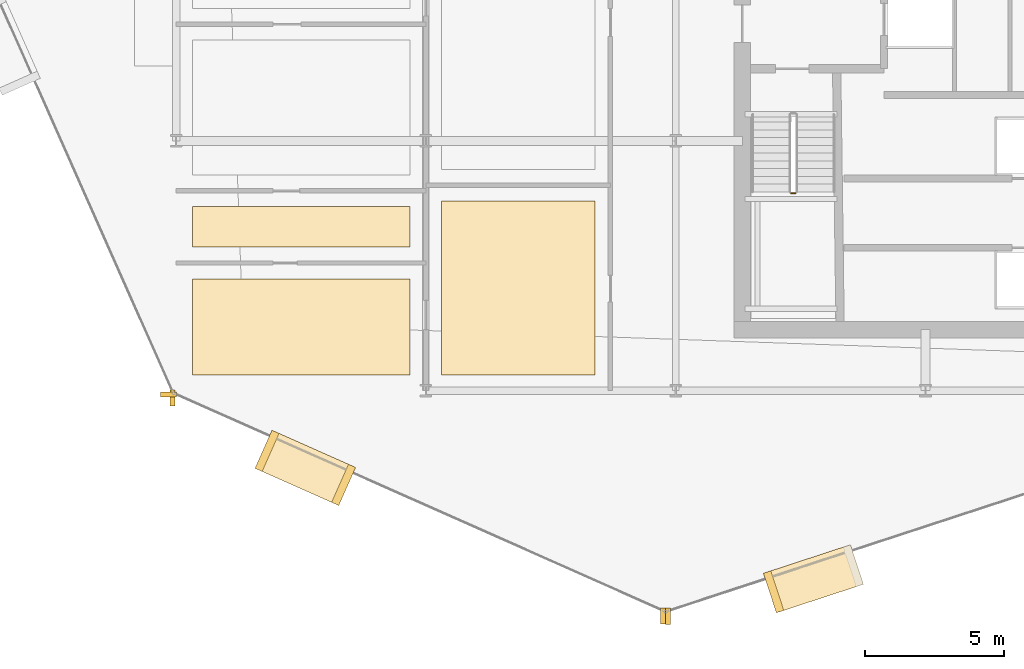
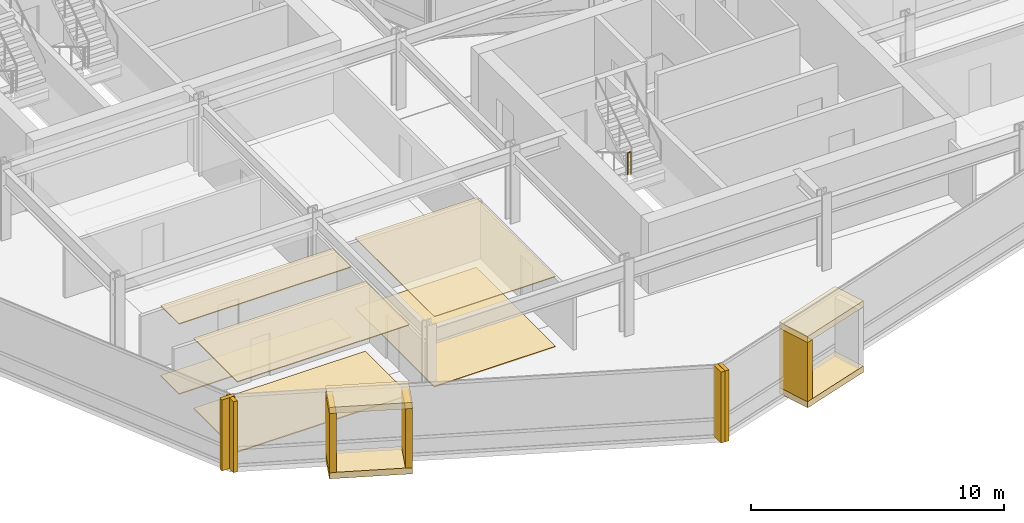
# One storey, part 24 of 28: 17 coverings, 1 railing.
"""IFC4 building model written with IfcOpenShell, lengths in metres."""

from ifc_helpers import new_model, si_unit, direction, frame, origin, origin_2d, place, context, subcontext, project, spatial, polyline, rectangle, circle, outline, extrude, material, layer, layer_set, type_object, element, save


model = new_model("IFC4")

# Units and contexts
model_context = context("Model", 3, precision=1e-05, world=origin(), true_north=direction((0.0, 1.0)))
body_context = subcontext(model_context, "Body", "Model", "MODEL_VIEW")
ifc_project = project(units=[si_unit("LENGTHUNIT", "METRE"), si_unit("AREAUNIT", "SQUARE_METRE"), si_unit("VOLUMEUNIT", "CUBIC_METRE"), si_unit("PLANEANGLEUNIT", "RADIAN"), si_unit("MASSUNIT", "GRAM", prefix="KILO")], contexts=[model_context])

# Site, building, storey
site_placement = place(None, origin())
site = spatial("IfcSite", under=ifc_project, at=site_placement, CompositionType="ELEMENT")
building_placement = place(site_placement, origin())
building = spatial("IfcBuilding", under=site, at=building_placement, Name="Solvaryn Broadcast Tower", CompositionType="ELEMENT")
storey_placement = place(building_placement, frame((0.0, 0.0, 110.0)))
storey = spatial("IfcBuildingStorey", under=building, at=storey_placement, Name="L26", CompositionType="ELEMENT", Elevation=110.0)

# Coverings
ifc_material_1 = material(Name="Micro-Perforated Acoustic Gypsum Ceiling", Category="concrete")
ifc_layer_1 = layer(ifc_material_1, 0.0400390625)
ifc_layer_set_1 = layer_set([ifc_layer_1], Name="CV-CEIL-ACOUSTIC")
covering_type_1 = type_object("IfcCoveringType", Name="CV-CEIL-ACOUSTIC", PredefinedType="CEILING", material=ifc_layer_set_1)
covering_1_placement = place(storey_placement, frame((0.0, 0.0, 3.3798828125)))
element("IfcCovering", 1, at=covering_1_placement, inside=storey, type_object=covering_type_1, Name="L26 Room Acoustic Ceiling 1", PredefinedType="CEILING", context=body_context, shape_type="SweptSolid", body=[
    extrude(outline(polyline([(18.570068359375, 9.570068359375), (24.10009765625, 9.570068359375), (24.10009765625, 15.830078125), (18.570068359375, 15.830078125), (18.570068359375, 9.570068359375)])), origin(), (0.0, 0.0, 1.0), 0.0400390625),
])
covering_2_placement = place(storey_placement, frame((0.0, 0.0, 3.3798828125)))
element("IfcCovering", 2, at=covering_2_placement, inside=storey, type_object=covering_type_1, Name="L26 Room Acoustic Ceiling 3", PredefinedType="CEILING", context=body_context, shape_type="SweptSolid", body=[
    extrude(outline(polyline([(9.60009765625, 9.570068359375), (17.429931640625, 9.570068359375), (17.429931640625, 13.030029296875), (9.60009765625, 13.030029296875), (9.60009765625, 9.570068359375)])), origin(), (0.0, 0.0, 1.0), 0.0400390625),
])
covering_3_placement = place(storey_placement, frame((0.0, 0.0, 3.3798828125)))
element("IfcCovering", 3, at=covering_3_placement, inside=storey, type_object=covering_type_1, Name="L26 Room Acoustic Ceiling 4", PredefinedType="CEILING", context=body_context, shape_type="SweptSolid", body=[
    extrude(outline(polyline([(9.60009765625, 14.169921875), (17.429931640625, 14.169921875), (17.429931640625, 15.6298828125), (9.60009765625, 15.6298828125), (9.60009765625, 14.169921875)])), origin(), (0.0, 0.0, 1.0), 0.0400390625),
])
ifc_material_2 = material(Name="Newsroom Raised Data Access Flooring", Category="steel")
ifc_layer_2 = layer(ifc_material_2, 0.050048828125)
ifc_layer_set_2 = layer_set([ifc_layer_2], Name="CV-FLOOR-RAISED")
covering_type_2 = type_object("IfcCoveringType", Name="CV-FLOOR-RAISED", PredefinedType="FLOORING", material=ifc_layer_set_2)
covering_4_placement = place(storey_placement, origin())
element("IfcCovering", 4, at=covering_4_placement, inside=storey, type_object=covering_type_2, Name="L26 Room Acoustic Floor Finish 1", PredefinedType="FLOORING", context=body_context, shape_type="SweptSolid", body=[
    extrude(outline(polyline([(18.570068359375, 9.570068359375), (24.10009765625, 9.570068359375), (24.10009765625, 15.830078125), (18.570068359375, 15.830078125), (18.570068359375, 9.570068359375)])), origin(), (0.0, 0.0, 1.0), 0.050048828125),
])
covering_5_placement = place(storey_placement, origin())
element("IfcCovering", 5, at=covering_5_placement, inside=storey, type_object=covering_type_2, Name="L26 Room Acoustic Floor Finish 3", PredefinedType="FLOORING", context=body_context, shape_type="SweptSolid", body=[
    extrude(outline(polyline([(9.60009765625, 9.570068359375), (17.429931640625, 9.570068359375), (17.429931640625, 13.030029296875), (9.60009765625, 13.030029296875), (9.60009765625, 9.570068359375)])), origin(), (0.0, 0.0, 1.0), 0.050048828125),
])
covering_6_placement = place(storey_placement, origin())
element("IfcCovering", 6, at=covering_6_placement, inside=storey, type_object=covering_type_2, Name="L26 Room Acoustic Floor Finish 4", PredefinedType="FLOORING", context=body_context, shape_type="SweptSolid", body=[
    extrude(outline(polyline([(9.60009765625, 14.169921875), (17.429931640625, 14.169921875), (17.429931640625, 15.6298828125), (9.60009765625, 15.6298828125), (9.60009765625, 14.169921875)])), origin(), (0.0, 0.0, 1.0), 0.050048828125),
])
ifc_material_3 = material(Name="Glazed Architectural Terracotta Rainscreen Cladding", Category="masonry")
ifc_layer_3 = layer(ifc_material_3, 0.280029296875)
ifc_layer_set_3 = layer_set([ifc_layer_3], Name="CV-TC-CLAD")
covering_type_3 = type_object("IfcCoveringType", Name="CV-TC-CLAD", PredefinedType="CLADDING", material=ifc_layer_set_3)
for number, where, z_axis, x_axis, name in (
    (7, (13.656982421875, 6.218994140625, 3.1298828125), (0.0, 0.0, 1.0), (0.913900054426, -0.405939269498, 0.0), "L26 Projecting Stone Window Box Hood 3"),
    (8, (13.656982421875, 6.218994140625, -0.01025390625), (0.0, 0.0, 1.0), (0.913900054426, -0.405939269498, 0.0), "L26 Projecting Stone Window Box Sill 3"),
):
    element("IfcCovering", number, at=place(storey_placement, frame(where, z_axis=z_axis, x_axis=x_axis)), inside=storey, type_object=covering_type_3, Name=name, PredefinedType="CLADDING", context=body_context, shape_type="SweptSolid", body=[
        extrude(rectangle(XDim=3.300048828125, YDim=1.5, at=origin_2d()), origin(), (0.0, 0.0, 1.0), 0.300048828125),
    ])
for number, where, z_axis, x_axis, name in (
    (9, (12.277099609375, 6.83203125, 0.27978515625), (0.0, 0.0, 1.0), (0.913900054426, -0.405939269498, 0.0), "L26 Projecting Stone Window Box Cheek 3-1"),
    (10, (15.037109375, 5.60595703125, 0.27978515625), (0.0, 0.0, 1.0), (0.913900054426, -0.405939269498, 0.0), "L26 Projecting Stone Window Box Cheek 3-2"),
):
    element("IfcCovering", number, at=place(storey_placement, frame(where, z_axis=z_axis, x_axis=x_axis)), inside=storey, type_object=covering_type_3, Name=name, PredefinedType="CLADDING", context=body_context, shape_type="SweptSolid", body=[
        extrude(rectangle(XDim=0.280029296875, YDim=1.5, at=origin_2d()), origin(), (0.0, 0.0, 1.0), 2.860107421875),
    ])
for number, where, z_axis, x_axis, name in (
    (11, (31.9619140625, 2.222900390625, 3.1298828125), (0.0, 0.0, 1.0), (0.950189870912, 0.311671636848, 0.0), "L26 Projecting Stone Window Box Hood 4"),
    (12, (31.9619140625, 2.222900390625, -0.01025390625), (0.0, 0.0, 1.0), (0.950189870912, 0.311671636848, 0.0), "L26 Projecting Stone Window Box Sill 4"),
):
    element("IfcCovering", number, at=place(storey_placement, frame(where, z_axis=z_axis, x_axis=x_axis)), inside=storey, type_object=covering_type_3, Name=name, PredefinedType="CLADDING", context=body_context, shape_type="SweptSolid", body=[
        extrude(rectangle(XDim=3.300048828125, YDim=1.5, at=origin_2d()), origin(), (0.0, 0.0, 1.0), 0.300048828125),
    ])
covering_7_placement = place(storey_placement, frame((30.527099609375, 1.75244140625, 0.27978515625), z_axis=(0.0, 0.0, 1.0), x_axis=(0.950189870912, 0.311671636848, 0.0)))
element("IfcCovering", 13, at=covering_7_placement, inside=storey, type_object=covering_type_3, Name="L26 Projecting Stone Window Box Cheek 4-1", PredefinedType="CLADDING", context=body_context, shape_type="SweptSolid", body=[
    extrude(rectangle(XDim=0.280029296875, YDim=1.5, at=origin_2d()), origin(), (0.0, 0.0, 1.0), 2.860107421875),
])
ifc_material_4 = material(Name="Extruded Architectural Terracotta Fin", Category="masonry")
ifc_layer_4 = layer(ifc_material_4, 0.179931640625)
ifc_layer_set_4 = layer_set([ifc_layer_4], Name="CV-TC-FIN")
covering_type_4 = type_object("IfcCoveringType", Name="CV-TC-FIN", PredefinedType="USERDEFINED", material=ifc_layer_set_4)
covering_8_placement = place(storey_placement, frame((8.731689453125, 8.86279296875, 0.0), z_axis=(0.0, 0.0, 1.0), x_axis=(1.0, 0.0, 0.0)))
element("IfcCovering", 14, at=covering_8_placement, inside=storey, type_object=covering_type_4, Name="L26 Terracotta Vertical Fin FIN-L26-DR2-M01", ObjectType="FIN", PredefinedType="USERDEFINED", context=body_context, shape_type="SweptSolid", body=[
    extrude(rectangle(XDim=0.580078125, YDim=0.179931640625, at=origin_2d()), origin(), (0.0, 0.0, 1.0), 3.419921875),
])
for number, where, z_axis, x_axis, name in (
    (15, (8.86279296875, 8.731689453125, 0.0), (0.0, 0.0, 1.0), (1.0, 0.0, 0.0), "L26 Terracotta Vertical Fin FIN-L26-DR3-M00"),
    (16, (26.535888671875, 0.8818359375, 0.0), (0.0, 0.0, 1.0), (1.0, 0.0, 0.0), "L26 Terracotta Vertical Fin FIN-L26-DR3-M01"),
    (17, (26.720703125, 0.872314453125, 0.0), (0.0, 0.0, 1.0), (1.0, 0.0, 0.0), "L26 Terracotta Vertical Fin FIN-L26-DR4-M00"),
):
    element("IfcCovering", number, at=place(storey_placement, frame(where, z_axis=z_axis, x_axis=x_axis)), inside=storey, type_object=covering_type_4, Name=name, ObjectType="FIN", PredefinedType="USERDEFINED", context=body_context, shape_type="SweptSolid", body=[
        extrude(rectangle(XDim=0.179931640625, YDim=0.580078125, at=origin_2d()), origin(), (0.0, 0.0, 1.0), 3.419921875),
    ])

# Railing
ifc_material_5 = material(Name="Painted Steel Stair Well Guard", Category="steel")
railing_type = type_object("IfcRailingType", Name="RL-STAIR-GUARD", PredefinedType="BALUSTRADE", material=ifc_material_5)
railing_placement = place(storey_placement, frame((31.159912109375, 16.110107421875, 1.85009765625)))
element("IfcRailing", 18, at=railing_placement, inside=storey, type_object=railing_type, Name="L26 ST3 stair guard 2", PredefinedType="BALUSTRADE", context=body_context, shape_type="SweptSolid", body=[
    extrude(circle(Radius=0.02392578125, at=origin_2d()), frame((0.0, 0.0, 1.076171875), z_axis=(1.0, 0.0, 0.0), x_axis=(0.0, 1.0, 0.0)), (0.0, 0.0, 1.0), 0.150146484375),
    extrude(circle(Radius=0.02099609375, at=origin_2d()), origin(), (0.0, 0.0, 1.0), 1.052001953125),
    extrude(circle(Radius=0.02099609375, at=origin_2d()), frame((0.150146484375, 0.0, 0.0)), (0.0, 0.0, 1.0), 1.052001953125),
])

save(model, "model.ifc")
